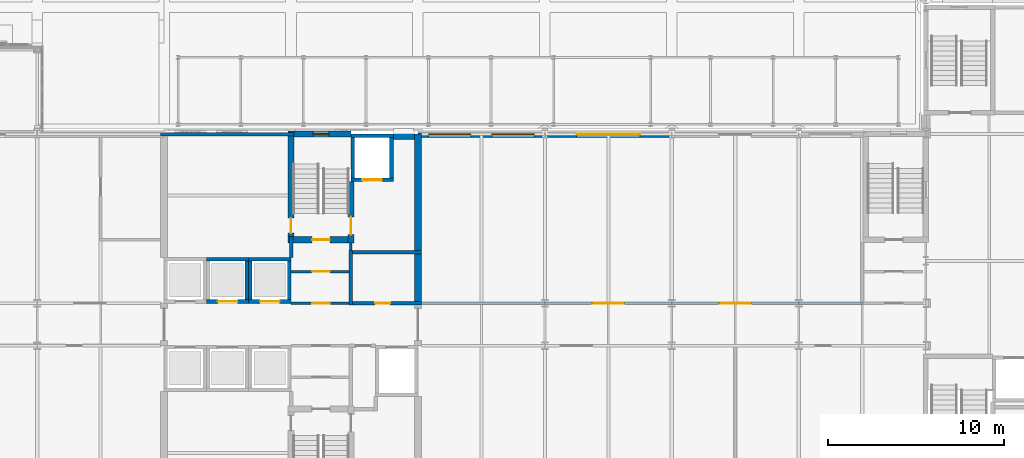
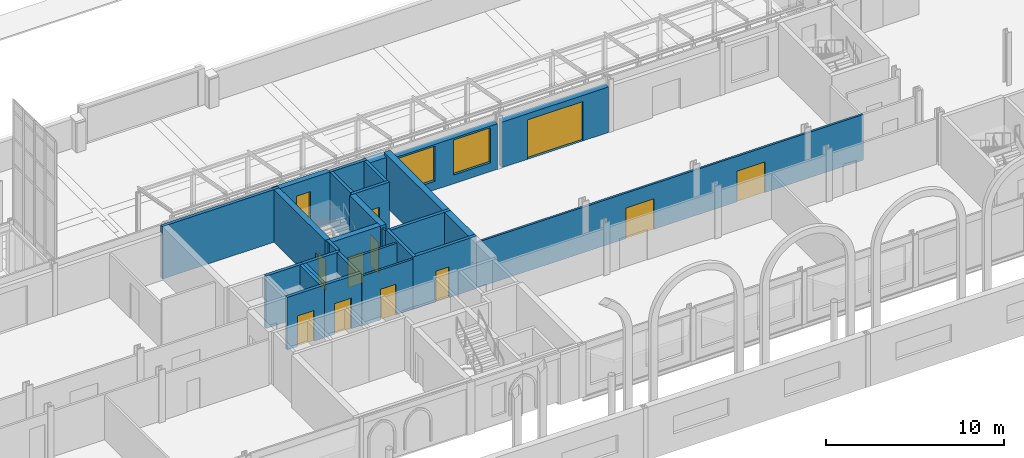
# One storey, part 80 of 143: 29 walls, 12 doors, 3 windows, 15 openings.
"""IFC4 building model written with IfcOpenShell, lengths in metres."""

from ifc_helpers import new_model, si_unit, direction, frame, frame_2d, origin, place, context, subcontext, project, spatial, rectangle, extrude, material, layer, layer_set, type_object, element, fill, save


model = new_model("IFC4")

# Units and contexts
model_context = context("Model", 3, precision=1e-05, world=origin(), true_north=direction((0.0, 1.0)))
body_context = subcontext(model_context, "Body", "Model", "MODEL_VIEW")
ifc_project = project(units=[si_unit("LENGTHUNIT", "METRE"), si_unit("AREAUNIT", "SQUARE_METRE"), si_unit("VOLUMEUNIT", "CUBIC_METRE"), si_unit("PLANEANGLEUNIT", "RADIAN"), si_unit("MASSUNIT", "GRAM", prefix="KILO")], contexts=[model_context])

# Site, building, storey
site_placement = place(None, origin())
site = spatial("IfcSite", under=ifc_project, at=site_placement, CompositionType="ELEMENT")
building_placement = place(site_placement, origin())
building = spatial("IfcBuilding", under=site, at=building_placement, Name="Kupolbacken Congress Centre", CompositionType="ELEMENT")
storey_placement = place(building_placement, frame((0.0, 0.0, 7.199951171875)))
storey = spatial("IfcBuildingStorey", under=building, at=storey_placement, Name="L02", CompositionType="ELEMENT", Elevation=7.199951171875)

# Wall, opening, door
ifc_material_1 = material(Name="Limestone", Category="masonry")
ifc_layer_1 = layer(ifc_material_1, 0.1201171875)
ifc_material_2 = material(Name="Air cavity", Category="air")
ifc_layer_2 = layer(ifc_material_2, 0.0400390625, ventilated=True)
ifc_material_3 = material(Name="Mineral wool", Category="insulation")
ifc_layer_3 = layer(ifc_material_3, 0.169921875)
ifc_material_4 = material(Name="Steel studs", Category="metal")
ifc_layer_4 = layer(ifc_material_4, 0.050048828125)
ifc_layer_set_1 = layer_set([ifc_layer_1, ifc_layer_2, ifc_layer_3, ifc_layer_4], Name="Limestone / Mineral wool / Steel studs")
wall_type_1 = type_object("IfcWallType", Name="EW03 external cavity wall 380", PredefinedType="SOLIDWALL", material=ifc_layer_set_1)
wall_1_placement = place(storey_placement, frame((122.24658203125, 144.0, 0.0), z_axis=(0.0, 0.0, 1.0), x_axis=(-1.0, 0.0, 0.0)))
wall_1 = element("IfcWall", 1, at=wall_1_placement, inside=storey, type_object=wall_type_1, Name="E/T/N/L02/016", PredefinedType="SOLIDWALL", context=body_context, shape_type="SweptSolid", body=[
    extrude(rectangle(XDim=6.89306640625, YDim=0.3798828125, at=frame_2d((3.446533203125, 0.0))), origin(), (0.0, 0.0, 1.0), 3.1201171875),
])
opening_1_placement = place(wall_1_placement, frame((1.646484375, 0.0, 0.0)))
opening_1 = element("IfcOpeningElement", 2, at=opening_1_placement, cuts=wall_1, Name="Opening D40", PredefinedType="OPENING", context=body_context, shape_type="SweptSolid", body=[
    extrude(rectangle(XDim=3.60009765625, YDim=2.699951171875, at=frame_2d((1.800048828125, 1.35009765625))), frame((0.0, 0.199951171875, 0.0), z_axis=(0.0, -1.0, 0.0), x_axis=(1.0, 0.0, 0.0)), (0.0, 0.0, 1.0), 0.39990234375),
])
ifc_material_5 = material(Name="Aluminium framed glazed door", Category="aluminium")
door_type_1 = type_object("IfcDoorType", Name="D40 entrance door pair 3600x2700", OperationType="DOUBLE_DOOR_SINGLE_SWING", PredefinedType="DOOR", material=ifc_material_5)
door_1_placement = place(opening_1_placement, frame((3.60009765625, 0.0, 0.0), z_axis=(0.0, 0.0, 1.0), x_axis=(-1.0, 0.0, 0.0)))
door_1 = element("IfcDoor", 3, at=door_1_placement, inside=storey, type_object=door_type_1, Name="E/T/N/L02/016/DHT3", OperationType="DOUBLE_DOOR_SINGLE_SWING", OverallHeight=2.699951171875, OverallWidth=3.60009765625, PredefinedType="DOOR", context=body_context, shape_type="SweptSolid", body=[
    extrude(rectangle(XDim=3.60009765625, YDim=2.699951171875, at=frame_2d((1.800048828125, 1.35009765625))), frame((0.0, 0.02490234375, 0.0), z_axis=(0.0, -1.0, 0.0), x_axis=(1.0, 0.0, 0.0)), (0.0, 0.0, 1.0), 0.050048828125),
])
fill(opening_1, door_1)

# Wall, openings, windows
wall_2_placement = place(storey_placement, frame((115.04638671875, 144.0, 0.0), z_axis=(0.0, 0.0, 1.0), x_axis=(-1.0, 0.0, 0.0)))
wall_2 = element("IfcWall", 4, at=wall_2_placement, inside=storey, type_object=wall_type_1, Name="E/T/N/L02/017", PredefinedType="SOLIDWALL", context=body_context, shape_type="SweptSolid", body=[
    extrude(rectangle(XDim=7.04638671875, YDim=0.3798828125, at=frame_2d((3.523193359375, 0.0))), origin(), (0.0, 0.0, 1.0), 3.1201171875),
])
opening_2_placement = place(wall_2_placement, frame((4.04638671875, 0.0, 0.60009765625)))
opening_2 = element("IfcOpeningElement", 5, at=opening_2_placement, cuts=wall_2, Name="Opening W30", PredefinedType="OPENING", context=body_context, shape_type="SweptSolid", body=[
    extrude(rectangle(XDim=2.39990234375, YDim=2.39990234375, at=frame_2d((1.199951171875, 1.199951171875))), frame((0.0, 0.199951171875, 0.0), z_axis=(0.0, -1.0, 0.0), x_axis=(1.0, 0.0, 0.0)), (0.0, 0.0, 1.0), 0.39990234375),
])
opening_3_placement = place(wall_2_placement, frame((0.446533203125, 0.0, 0.60009765625)))
opening_3 = element("IfcOpeningElement", 6, at=opening_3_placement, cuts=wall_2, Name="Opening W30", PredefinedType="OPENING", context=body_context, shape_type="SweptSolid", body=[
    extrude(rectangle(XDim=2.39990234375, YDim=2.39990234375, at=frame_2d((1.199951171875, 1.199951171875))), frame((0.0, 0.199951171875, 0.0), z_axis=(0.0, -1.0, 0.0), x_axis=(1.0, 0.0, 0.0)), (0.0, 0.0, 1.0), 0.39990234375),
])
ifc_material_6 = material(Name="Aluminium frame with double or triple glazing", Category="aluminium")
window_type_1 = type_object("IfcWindowType", Name="W30 window 2400x2400", PartitioningType="DOUBLE_PANEL_VERTICAL", PredefinedType="WINDOW", material=ifc_material_6)
window_1_placement = place(opening_2_placement, origin())
window_1 = element("IfcWindow", 7, at=window_1_placement, inside=storey, type_object=window_type_1, Name="E/T/N/L02/017/W1", OverallHeight=2.39990234375, OverallWidth=2.39990234375, PartitioningType="SINGLE_PANEL", PredefinedType="WINDOW", context=body_context, shape_type="SweptSolid", body=[
    extrude(rectangle(XDim=2.39990234375, YDim=2.39990234375, at=frame_2d((1.199951171875, 1.199951171875))), frame((0.0, 0.030029296875, 0.0), z_axis=(0.0, -1.0, 0.0), x_axis=(1.0, 0.0, 0.0)), (0.0, 0.0, 1.0), 0.06005859375),
])
fill(opening_2, window_1)
window_2_placement = place(opening_3_placement, origin())
window_2 = element("IfcWindow", 8, at=window_2_placement, inside=storey, type_object=window_type_1, Name="E/T/N/L02/017/W2", OverallHeight=2.39990234375, OverallWidth=2.39990234375, PartitioningType="SINGLE_PANEL", PredefinedType="WINDOW", context=body_context, shape_type="SweptSolid", body=[
    extrude(rectangle(XDim=2.39990234375, YDim=2.39990234375, at=frame_2d((1.199951171875, 1.199951171875))), frame((0.0, 0.030029296875, 0.0), z_axis=(0.0, -1.0, 0.0), x_axis=(1.0, 0.0, 0.0)), (0.0, 0.0, 1.0), 0.06005859375),
])
fill(opening_3, window_2)

# Wall
ifc_material_7 = material(Name="Concrete C40/50", Category="concrete")
ifc_layer_5 = layer(ifc_material_7, 0.35009765625)
ifc_layer_6 = layer(ifc_material_3, 0.1220703125)
ifc_layer_7 = layer(ifc_material_2, 0.0400390625, ventilated=True)
ifc_material_8 = material(Name="Brick", Category="masonry")
ifc_layer_8 = layer(ifc_material_8, 0.10791015625)
ifc_layer_set_2 = layer_set([ifc_layer_5, ifc_layer_6, ifc_layer_7, ifc_layer_8], Name="Concrete C40/50 / Mineral wool / Brick")
wall_type_2 = type_object("IfcWallType", Name="EW10 external cavity wall 620", PredefinedType="SOLIDWALL", material=ifc_layer_set_2)
wall_3_placement = place(storey_placement, frame((107.800048828125, 144.0, 0.0), z_axis=(0.0, 0.0, 1.0), x_axis=(-1.0, 0.0, 0.0)))
element("IfcWall", 9, at=wall_3_placement, inside=storey, type_object=wall_type_2, Name="E/T/N/L02/018", PredefinedType="SOLIDWALL", context=body_context, shape_type="SweptSolid", body=[
    extrude(rectangle(XDim=1.199951171875, YDim=0.6201171875, at=frame_2d((0.60009765625, 0.0))), origin(), (0.0, 0.0, 1.0), 3.420166015625),
])

# Wall, openings, doors
ifc_material_9 = material(Name="Gypsum board", Category="drywall")
ifc_layer_9 = layer(ifc_material_9, 0.135009765625)
ifc_layer_set_3 = layer_set([ifc_layer_9], Name="Gypsum board")
wall_type_3 = type_object("IfcWallType", Name="P06 compartment wall 135", PredefinedType="PARTITIONING", material=ifc_layer_set_3)
wall_4_placement = place(storey_placement, frame((108.199951171875, 134.39990234375, 0.0), z_axis=(0.0, 0.0, 1.0), x_axis=(1.0, 0.0, 0.0)))
wall_4 = element("IfcWall", 10, at=wall_4_placement, inside=storey, type_object=wall_type_3, Name="T/wall/L02/x/13440/10810", PredefinedType="PARTITIONING", context=body_context, shape_type="SweptSolid", body=[
    extrude(rectangle(XDim=25.070068359375, YDim=0.135009765625, at=frame_2d((12.53515625, 0.0))), origin(), (0.0, 0.0, 1.0), 3.1201171875),
])
opening_4_placement = place(wall_4_placement, frame((9.699951171875, 0.0, 0.0)))
opening_4 = element("IfcOpeningElement", 11, at=opening_4_placement, cuts=wall_4, Name="Opening D14", PredefinedType="OPENING", context=body_context, shape_type="SweptSolid", body=[
    extrude(rectangle(XDim=1.800048828125, YDim=2.10009765625, at=frame_2d((0.89990234375, 1.050048828125))), frame((0.0, 0.077392578125, 0.0), z_axis=(0.0, -1.0, 0.0), x_axis=(1.0, 0.0, 0.0)), (0.0, 0.0, 1.0), 0.155029296875),
])
opening_5_placement = place(wall_4_placement, frame((16.89990234375, 0.0, 0.0)))
opening_5 = element("IfcOpeningElement", 12, at=opening_5_placement, cuts=wall_4, Name="Opening D14", PredefinedType="OPENING", context=body_context, shape_type="SweptSolid", body=[
    extrude(rectangle(XDim=1.800048828125, YDim=2.10009765625, at=frame_2d((0.89990234375, 1.050048828125))), frame((0.0, 0.077392578125, 0.0), z_axis=(0.0, -1.0, 0.0), x_axis=(1.0, 0.0, 0.0)), (0.0, 0.0, 1.0), 0.155029296875),
])
ifc_material_10 = material(Name="Steel fire door leaf", Category="steel")
door_type_2 = type_object("IfcDoorType", Name="D14 fire door 1800x2100", OperationType="DOUBLE_DOOR_SINGLE_SWING", PredefinedType="DOOR", material=ifc_material_10)
door_2_placement = place(opening_4_placement, frame((1.800048828125, 0.0, 0.0), z_axis=(0.0, 0.0, 1.0), x_axis=(-1.0, 0.0, 0.0)))
door_2 = element("IfcDoor", 13, at=door_2_placement, inside=storey, type_object=door_type_2, Name="T/wall/L02/x/13440/10810/D-BAR-S1", OperationType="DOUBLE_DOOR_SINGLE_SWING", OverallHeight=2.10009765625, OverallWidth=1.800048828125, PredefinedType="DOOR", context=body_context, shape_type="SweptSolid", body=[
    extrude(rectangle(XDim=1.800048828125, YDim=2.10009765625, at=frame_2d((0.89990234375, 1.050048828125))), frame((0.0, 0.02490234375, 0.0), z_axis=(0.0, -1.0, 0.0), x_axis=(1.0, 0.0, 0.0)), (0.0, 0.0, 1.0), 0.050048828125),
])
fill(opening_4, door_2)
door_3_placement = place(opening_5_placement, frame((1.800048828125, 0.0, 0.0), z_axis=(0.0, 0.0, 1.0), x_axis=(-1.0, 0.0, 0.0)))
door_3 = element("IfcDoor", 14, at=door_3_placement, inside=storey, type_object=door_type_2, Name="T/wall/L02/x/13440/10810/D-BAR-S2", OperationType="DOUBLE_DOOR_SINGLE_SWING", OverallHeight=2.10009765625, OverallWidth=1.800048828125, PredefinedType="DOOR", context=body_context, shape_type="SweptSolid", body=[
    extrude(rectangle(XDim=1.800048828125, YDim=2.10009765625, at=frame_2d((0.89990234375, 1.050048828125))), frame((0.0, 0.02490234375, 0.0), z_axis=(0.0, -1.0, 0.0), x_axis=(1.0, 0.0, 0.0)), (0.0, 0.0, 1.0), 0.050048828125),
])
fill(opening_5, door_3)

# Wall, opening, door
ifc_material_11 = material(Name="Aerated concrete block", Category="masonry")
ifc_layer_10 = layer(ifc_material_11, 0.139892578125)
ifc_layer_set_4 = layer_set([ifc_layer_10], Name="Aerated concrete block")
wall_type_4 = type_object("IfcWallType", Name="P14 compartment wall 140", PredefinedType="PARTITIONING", material=ifc_layer_set_4)
wall_5_placement = place(storey_placement, frame((100.800048828125, 134.39990234375, 0.0), z_axis=(0.0, 0.0, 1.0), x_axis=(1.0, 0.0, 0.0)))
wall_5 = element("IfcWall", 15, at=wall_5_placement, inside=storey, type_object=wall_type_4, Name="T/wall/L02/x/13440/10080", PredefinedType="PARTITIONING", context=body_context, shape_type="SweptSolid", body=[
    extrude(rectangle(XDim=3.300048828125, YDim=0.139892578125, at=frame_2d((1.64990234375, 0.0))), origin(), (0.0, 0.0, 1.0), 3.420166015625),
])
opening_6_placement = place(wall_5_placement, frame((1.199951171875, 0.0, 0.0)))
opening_6 = element("IfcOpeningElement", 16, at=opening_6_placement, cuts=wall_5, Name="Opening D5", PredefinedType="OPENING", context=body_context, shape_type="SweptSolid", body=[
    extrude(rectangle(XDim=1.0, YDim=2.10009765625, at=frame_2d((0.5, 1.050048828125))), frame((0.0, 0.079833984375, 0.0), z_axis=(0.0, -1.0, 0.0), x_axis=(1.0, 0.0, 0.0)), (0.0, 0.0, 1.0), 0.159912109375),
])
ifc_material_12 = material(Name="Steel fire door leaf", Category="steel")
door_type_3 = type_object("IfcDoorType", Name="D5 stair door 1000x2100", OperationType="SINGLE_SWING_LEFT", PredefinedType="DOOR", material=ifc_material_12)
door_4_placement = place(opening_6_placement, frame((1.0, 0.0, 0.0), z_axis=(0.0, 0.0, 1.0), x_axis=(-1.0, 0.0, 0.0)))
door_4 = element("IfcDoor", 17, at=door_4_placement, inside=storey, type_object=door_type_3, Name="T/wall/L02/x/13440/10080/D-TS2-LK3", OperationType="SINGLE_SWING_RIGHT", OverallHeight=2.10009765625, OverallWidth=1.0, PredefinedType="DOOR", context=body_context, shape_type="SweptSolid", body=[
    extrude(rectangle(XDim=1.0, YDim=2.10009765625, at=frame_2d((0.5, 1.050048828125))), frame((0.0, 0.02490234375, 0.0), z_axis=(0.0, -1.0, 0.0), x_axis=(1.0, 0.0, 0.0)), (0.0, 0.0, 1.0), 0.050048828125),
])
fill(opening_6, door_4)

wall_6_placement = place(storey_placement, frame((100.800048828125, 136.199951171875, 0.0), z_axis=(0.0, 0.0, 1.0), x_axis=(1.0, 0.0, 0.0)))
wall_6 = element("IfcWall", 18, at=wall_6_placement, inside=storey, type_object=wall_type_4, Name="T/wall/L02/x/13620/10080", PredefinedType="PARTITIONING", context=body_context, shape_type="SweptSolid", body=[
    extrude(rectangle(XDim=3.300048828125, YDim=0.139892578125, at=frame_2d((1.64990234375, 0.0))), origin(), (0.0, 0.0, 1.0), 3.420166015625),
])
opening_7_placement = place(wall_6_placement, frame((1.199951171875, 0.0, 0.0)))
opening_7 = element("IfcOpeningElement", 19, at=opening_7_placement, cuts=wall_6, Name="Opening D5", PredefinedType="OPENING", context=body_context, shape_type="SweptSolid", body=[
    extrude(rectangle(XDim=1.0, YDim=2.10009765625, at=frame_2d((0.5, 1.050048828125))), frame((0.0, 0.079833984375, 0.0), z_axis=(0.0, -1.0, 0.0), x_axis=(1.0, 0.0, 0.0)), (0.0, 0.0, 1.0), 0.159912109375),
])
door_5_placement = place(opening_7_placement, frame((1.0, 0.0, 0.0), z_axis=(0.0, 0.0, 1.0), x_axis=(-1.0, 0.0, 0.0)))
door_5 = element("IfcDoor", 20, at=door_5_placement, inside=storey, type_object=door_type_3, Name="T/wall/L02/x/13620/10080/D-TS2-LK2", OperationType="SINGLE_SWING_RIGHT", OverallHeight=2.10009765625, OverallWidth=1.0, PredefinedType="DOOR", context=body_context, shape_type="SweptSolid", body=[
    extrude(rectangle(XDim=1.0, YDim=2.10009765625, at=frame_2d((0.5, 1.050048828125))), frame((0.0, 0.02490234375, 0.0), z_axis=(0.0, -1.0, 0.0), x_axis=(1.0, 0.0, 0.0)), (0.0, 0.0, 1.0), 0.050048828125),
])
fill(opening_7, door_5)

# Wall
wall_7_placement = place(storey_placement, frame((104.199951171875, 137.39990234375, 0.0), z_axis=(0.0, 0.0, 1.0), x_axis=(0.0, 1.0, 0.0)))
element("IfcWall", 21, at=wall_7_placement, inside=storey, type_object=wall_type_4, Name="T/wall/L02/y/10420/13740", PredefinedType="PARTITIONING", context=body_context, shape_type="SweptSolid", body=[
    extrude(rectangle(XDim=0.425048828125, YDim=0.139892578125, at=frame_2d((0.21240234375, 0.0))), origin(), (0.0, 0.0, 1.0), 3.420166015625),
])

# Wall, opening, door
ifc_material_13 = material(Name="Concrete C40/50", Category="concrete")
ifc_layer_11 = layer(ifc_material_13, 0.199951171875)
ifc_layer_set_5 = layer_set([ifc_layer_11], Name="Concrete C40/50")
wall_type_5 = type_object("IfcWallType", Name="WC1 RC shaft wall 200", PredefinedType="SHEAR", material=ifc_layer_set_5)
wall_8_placement = place(storey_placement, frame((104.10009765625, 134.39990234375, 0.0), z_axis=(0.0, 0.0, 1.0), x_axis=(1.0, 0.0, 0.0)))
wall_8 = element("IfcWall", 22, at=wall_8_placement, inside=storey, type_object=wall_type_5, Name="Shaft wall L02-112", PredefinedType="SHEAR", context=body_context, shape_type="SweptSolid", body=[
    extrude(rectangle(XDim=4.099853515625, YDim=0.199951171875, at=frame_2d((2.0498046875, 0.0))), origin(), (0.0, 0.0, 1.0), 3.60009765625),
])
opening_8_placement = place(wall_8_placement, frame((1.47509765625, 0.0, 0.0)))
opening_8 = element("IfcOpeningElement", 23, at=opening_8_placement, cuts=wall_8, Name="Opening D3", PredefinedType="OPENING", context=body_context, shape_type="SweptSolid", body=[
    extrude(rectangle(XDim=0.85009765625, YDim=2.10009765625, at=frame_2d((0.425048828125, 1.050048828125))), frame((0.0, 0.10986328125, 0.0), z_axis=(0.0, -1.0, 0.0), x_axis=(1.0, 0.0, 0.0)), (0.0, 0.0, 1.0), 0.219970703125),
])
ifc_material_14 = material(Name="Steel fire door leaf", Category="steel")
door_type_4 = type_object("IfcDoorType", Name="D3 fire door 850x2100", OperationType="SINGLE_SWING_LEFT", PredefinedType="DOOR", material=ifc_material_14)
door_6_placement = place(opening_8_placement, origin())
door_6 = element("IfcDoor", 24, at=door_6_placement, inside=storey, type_object=door_type_4, Name="S/core/L02/112/D-TR4-A", OperationType="SINGLE_SWING_RIGHT", OverallHeight=2.10009765625, OverallWidth=0.85009765625, PredefinedType="DOOR", context=body_context, shape_type="SweptSolid", body=[
    extrude(rectangle(XDim=0.85009765625, YDim=2.10009765625, at=frame_2d((0.425048828125, 1.050048828125))), frame((0.0, 0.02490234375, 0.0), z_axis=(0.0, -1.0, 0.0), x_axis=(1.0, 0.0, 0.0)), (0.0, 0.0, 1.0), 0.050048828125),
])
fill(opening_8, door_6)

# Walls
wall_9_placement = place(storey_placement, frame((100.800048828125, 137.0, 0.0), z_axis=(0.0, 0.0, 1.0), x_axis=(0.0, 1.0, 0.0)))
element("IfcWall", 25, at=wall_9_placement, inside=storey, type_object=wall_type_5, Name="Shaft wall L02-114", PredefinedType="SHEAR", context=body_context, shape_type="SweptSolid", body=[
    extrude(rectangle(XDim=1.175048828125, YDim=0.199951171875, at=frame_2d((0.58740234375, 0.0))), origin(), (0.0, 0.0, 1.0), 3.60009765625),
])
wall_10_placement = place(storey_placement, frame((104.199951171875, 137.39990234375, 0.0), z_axis=(0.0, 0.0, 1.0), x_axis=(0.0, -1.0, 0.0)))
element("IfcWall", 26, at=wall_10_placement, inside=storey, type_object=wall_type_5, Name="Shaft wall L02-115", PredefinedType="SHEAR", context=body_context, shape_type="SweptSolid", body=[
    extrude(rectangle(XDim=3.099853515625, YDim=0.199951171875, at=frame_2d((1.5498046875, 0.0))), origin(), (0.0, 0.0, 1.0), 3.60009765625),
])
wall_11_placement = place(storey_placement, frame((108.199951171875, 137.300048828125, 0.0), z_axis=(0.0, 0.0, 1.0), x_axis=(-1.0, 0.0, 0.0)))
element("IfcWall", 27, at=wall_11_placement, inside=storey, type_object=wall_type_5, Name="Shaft wall L02-116", PredefinedType="SHEAR", context=body_context, shape_type="SweptSolid", body=[
    extrude(rectangle(XDim=4.099853515625, YDim=0.199951171875, at=frame_2d((2.0498046875, 0.0))), origin(), (0.0, 0.0, 1.0), 3.60009765625),
])
wall_12_placement = place(storey_placement, frame((100.97509765625, 144.0, 0.0), z_axis=(0.0, 0.0, 1.0), x_axis=(-1.0, 0.0, 0.0)))
element("IfcWall", 28, at=wall_12_placement, inside=storey, type_object=wall_type_5, Name="Shaft wall L02-128", PredefinedType="SHEAR", context=body_context, shape_type="SweptSolid", body=[
    extrude(rectangle(XDim=7.5751953125, YDim=0.199951171875, at=frame_2d((3.78759765625, 0.0))), origin(), (0.0, 0.0, 1.0), 3.60009765625),
])

# Wall, opening, door
wall_13_placement = place(storey_placement, frame((96.0, 134.5, 0.0), z_axis=(0.0, 0.0, 1.0), x_axis=(1.0, 0.0, 0.0)))
wall_13 = element("IfcWall", 29, at=wall_13_placement, inside=storey, type_object=wall_type_5, Name="Shaft wall LP13", PredefinedType="SHEAR", context=body_context, shape_type="SweptSolid", body=[
    extrude(rectangle(XDim=2.39990234375, YDim=0.199951171875, at=frame_2d((1.199951171875, 0.0))), origin(), (0.0, 0.0, 1.0), 3.60009765625),
])
opening_9_placement = place(wall_13_placement, frame((0.64990234375, 0.0, 0.0)))
opening_9 = element("IfcOpeningElement", 30, at=opening_9_placement, cuts=wall_13, Name="Opening LD2", PredefinedType="OPENING", context=body_context, shape_type="SweptSolid", body=[
    extrude(rectangle(XDim=1.10009765625, YDim=2.10009765625, at=frame_2d((0.550048828125, 1.050048828125))), frame((0.0, 0.10986328125, 0.0), z_axis=(0.0, -1.0, 0.0), x_axis=(1.0, 0.0, 0.0)), (0.0, 0.0, 1.0), 0.219970703125),
])
ifc_material_15 = material(Name="Stainless steel door leaf", Category="steel")
door_type_5 = type_object("IfcDoorType", Name="LD2 lift landing door 1100x2100", OperationType="SLIDING_TO_LEFT", PredefinedType="DOOR", material=ifc_material_15)
door_7_placement = place(opening_9_placement, origin())
door_7 = element("IfcDoor", 31, at=door_7_placement, inside=storey, type_object=door_type_5, Name="Lift landing door LP13", OperationType="SLIDING_TO_LEFT", OverallHeight=2.10009765625, OverallWidth=1.10009765625, PredefinedType="DOOR", context=body_context, shape_type="SweptSolid", body=[
    extrude(rectangle(XDim=1.10009765625, YDim=2.10009765625, at=frame_2d((0.550048828125, 1.050048828125))), frame((0.0, 0.02490234375, 0.0), z_axis=(0.0, -1.0, 0.0), x_axis=(1.0, 0.0, 0.0)), (0.0, 0.0, 1.0), 0.050048828125),
])
fill(opening_9, door_7)

# Walls
wall_14_placement = place(storey_placement, frame((96.0, 136.89990234375, 0.0), z_axis=(0.0, 0.0, 1.0), x_axis=(1.0, 0.0, 0.0)))
element("IfcWall", 32, at=wall_14_placement, inside=storey, type_object=wall_type_5, Name="Shaft wall LP13", PredefinedType="SHEAR", context=body_context, shape_type="SweptSolid", body=[
    extrude(rectangle(XDim=2.39990234375, YDim=0.199951171875, at=frame_2d((1.199951171875, 0.0))), origin(), (0.0, 0.0, 1.0), 3.60009765625),
])
wall_15_placement = place(storey_placement, frame((98.300048828125, 134.60009765625, 0.0), z_axis=(0.0, 0.0, 1.0), x_axis=(0.0, 1.0, 0.0)))
element("IfcWall", 33, at=wall_15_placement, inside=storey, type_object=wall_type_5, Name="Shaft wall LP13", PredefinedType="SHEAR", context=body_context, shape_type="SweptSolid", body=[
    extrude(rectangle(XDim=2.199951171875, YDim=0.199951171875, at=frame_2d((1.10009765625, 0.0))), origin(), (0.0, 0.0, 1.0), 3.60009765625),
])

# Wall, opening, door
wall_16_placement = place(storey_placement, frame((98.39990234375, 134.5, 0.0), z_axis=(0.0, 0.0, 1.0), x_axis=(1.0, 0.0, 0.0)))
wall_16 = element("IfcWall", 34, at=wall_16_placement, inside=storey, type_object=wall_type_5, Name="Shaft wall LP14", PredefinedType="SHEAR", context=body_context, shape_type="SweptSolid", body=[
    extrude(rectangle(XDim=2.400146484375, YDim=0.199951171875, at=frame_2d((1.2001953125, 0.0))), origin(), (0.0, 0.0, 1.0), 3.60009765625),
])
opening_10_placement = place(wall_16_placement, frame((0.64990234375, 0.0, 0.0)))
opening_10 = element("IfcOpeningElement", 35, at=opening_10_placement, cuts=wall_16, Name="Opening LD2", PredefinedType="OPENING", context=body_context, shape_type="SweptSolid", body=[
    extrude(rectangle(XDim=1.10009765625, YDim=2.10009765625, at=frame_2d((0.550048828125, 1.050048828125))), frame((0.0, 0.10986328125, 0.0), z_axis=(0.0, -1.0, 0.0), x_axis=(1.0, 0.0, 0.0)), (0.0, 0.0, 1.0), 0.219970703125),
])
door_8_placement = place(opening_10_placement, origin())
door_8 = element("IfcDoor", 36, at=door_8_placement, inside=storey, type_object=door_type_5, Name="Lift landing door LP14", OperationType="SLIDING_TO_LEFT", OverallHeight=2.10009765625, OverallWidth=1.10009765625, PredefinedType="DOOR", context=body_context, shape_type="SweptSolid", body=[
    extrude(rectangle(XDim=1.10009765625, YDim=2.10009765625, at=frame_2d((0.550048828125, 1.050048828125))), frame((0.0, 0.02490234375, 0.0), z_axis=(0.0, -1.0, 0.0), x_axis=(1.0, 0.0, 0.0)), (0.0, 0.0, 1.0), 0.050048828125),
])
fill(opening_10, door_8)

# Walls
wall_17_placement = place(storey_placement, frame((98.39990234375, 136.89990234375, 0.0), z_axis=(0.0, 0.0, 1.0), x_axis=(1.0, 0.0, 0.0)))
element("IfcWall", 37, at=wall_17_placement, inside=storey, type_object=wall_type_5, Name="Shaft wall LP14", PredefinedType="SHEAR", context=body_context, shape_type="SweptSolid", body=[
    extrude(rectangle(XDim=2.400146484375, YDim=0.199951171875, at=frame_2d((1.2001953125, 0.0))), origin(), (0.0, 0.0, 1.0), 3.60009765625),
])
for number, where, z_axis, x_axis, name in (
    (38, (98.5, 134.60009765625, 0.0), (0.0, 0.0, 1.0), (0.0, 1.0, 0.0), "Shaft wall LP14"),
    (39, (100.699951171875, 134.60009765625, 0.0), (0.0, 0.0, 1.0), (0.0, 1.0, 0.0), "Shaft wall LP14"),
):
    element("IfcWall", number, at=place(storey_placement, frame(where, z_axis=z_axis, x_axis=x_axis)), inside=storey, type_object=wall_type_5, Name=name, PredefinedType="SHEAR", context=body_context, shape_type="SweptSolid", body=[
        extrude(rectangle(XDim=2.199951171875, YDim=0.199951171875, at=frame_2d((1.10009765625, 0.0))), origin(), (0.0, 0.0, 1.0), 3.60009765625),
    ])

# Wall, opening, door
wall_18_placement = place(storey_placement, frame((104.199951171875, 141.39990234375, 0.0), z_axis=(0.0, 0.0, 1.0), x_axis=(1.0, 0.0, 0.0)))
wall_18 = element("IfcWall", 40, at=wall_18_placement, inside=storey, type_object=wall_type_5, Name="Shaft wall LF2", PredefinedType="SHEAR", context=body_context, shape_type="SweptSolid", body=[
    extrude(rectangle(XDim=2.400146484375, YDim=0.199951171875, at=frame_2d((1.2001953125, 0.0))), origin(), (0.0, 0.0, 1.0), 3.60009765625),
])
opening_11_placement = place(wall_18_placement, frame((0.64990234375, 0.0, 0.0)))
opening_11 = element("IfcOpeningElement", 41, at=opening_11_placement, cuts=wall_18, Name="Opening LD2", PredefinedType="OPENING", context=body_context, shape_type="SweptSolid", body=[
    extrude(rectangle(XDim=1.10009765625, YDim=2.10009765625, at=frame_2d((0.550048828125, 1.050048828125))), frame((0.0, 0.10986328125, 0.0), z_axis=(0.0, -1.0, 0.0), x_axis=(1.0, 0.0, 0.0)), (0.0, 0.0, 1.0), 0.219970703125),
])
door_9_placement = place(opening_11_placement, origin())
door_9 = element("IfcDoor", 42, at=door_9_placement, inside=storey, type_object=door_type_5, Name="Lift landing door LF2", OperationType="SLIDING_TO_LEFT", OverallHeight=2.10009765625, OverallWidth=1.10009765625, PredefinedType="DOOR", context=body_context, shape_type="SweptSolid", body=[
    extrude(rectangle(XDim=1.10009765625, YDim=2.10009765625, at=frame_2d((0.550048828125, 1.050048828125))), frame((0.0, 0.02490234375, 0.0), z_axis=(0.0, -1.0, 0.0), x_axis=(1.0, 0.0, 0.0)), (0.0, 0.0, 1.0), 0.050048828125),
])
fill(opening_11, door_9)

# Walls
wall_19_placement = place(storey_placement, frame((104.199951171875, 143.89990234375, 0.0), z_axis=(0.0, 0.0, 1.0), x_axis=(1.0, 0.0, 0.0)))
element("IfcWall", 43, at=wall_19_placement, inside=storey, type_object=wall_type_5, Name="Shaft wall LF2", PredefinedType="SHEAR", context=body_context, shape_type="SweptSolid", body=[
    extrude(rectangle(XDim=2.400146484375, YDim=0.199951171875, at=frame_2d((1.2001953125, 0.0))), origin(), (0.0, 0.0, 1.0), 3.60009765625),
])
for number, where, z_axis, x_axis, name in (
    (44, (104.300048828125, 141.5, 0.0), (0.0, 0.0, 1.0), (0.0, 1.0, 0.0), "Shaft wall LF2"),
    (45, (106.5, 141.5, 0.0), (0.0, 0.0, 1.0), (0.0, 1.0, 0.0), "Shaft wall LF2"),
):
    element("IfcWall", number, at=place(storey_placement, frame(where, z_axis=z_axis, x_axis=x_axis)), inside=storey, type_object=wall_type_5, Name=name, PredefinedType="SHEAR", context=body_context, shape_type="SweptSolid", body=[
        extrude(rectangle(XDim=2.300048828125, YDim=0.199951171875, at=frame_2d((1.14990234375, 0.0))), origin(), (0.0, 0.0, 1.0), 3.60009765625),
    ])

# Wall, opening, door
ifc_material_16 = material(Name="Concrete C40/50", Category="concrete")
ifc_layer_12 = layer(ifc_material_16, 0.35009765625)
ifc_layer_set_6 = layer_set([ifc_layer_12], Name="Concrete C40/50")
wall_type_6 = type_object("IfcWallType", Name="WC4 RC core wall 350", PredefinedType="SHEAR", material=ifc_layer_set_6)
wall_20_placement = place(storey_placement, frame((100.625, 138.0, 0.0), z_axis=(0.0, 0.0, 1.0), x_axis=(1.0, 0.0, 0.0)))
wall_20 = element("IfcWall", 46, at=wall_20_placement, inside=storey, type_object=wall_type_6, Name="Core wall L02-120", PredefinedType="SHEAR", context=body_context, shape_type="SweptSolid", body=[
    extrude(rectangle(XDim=3.75, YDim=0.35009765625, at=frame_2d((1.875, 0.0))), origin(), (0.0, 0.0, 1.0), 3.60009765625),
])
opening_12_placement = place(wall_20_placement, frame((1.375, 0.0, 0.0)))
opening_12 = element("IfcOpeningElement", 47, at=opening_12_placement, cuts=wall_20, Name="Opening D5", PredefinedType="OPENING", context=body_context, shape_type="SweptSolid", body=[
    extrude(rectangle(XDim=1.0, YDim=2.10009765625, at=frame_2d((0.5, 1.050048828125))), frame((0.0, 0.18505859375, 0.0), z_axis=(0.0, -1.0, 0.0), x_axis=(1.0, 0.0, 0.0)), (0.0, 0.0, 1.0), 0.3701171875),
])
door_10_placement = place(opening_12_placement, origin())
door_10 = element("IfcDoor", 48, at=door_10_placement, inside=storey, type_object=door_type_3, Name="S/core/L02/120/D-TS2-LK1", OperationType="SINGLE_SWING_RIGHT", OverallHeight=2.10009765625, OverallWidth=1.0, PredefinedType="DOOR", context=body_context, shape_type="SweptSolid", body=[
    extrude(rectangle(XDim=1.0, YDim=2.10009765625, at=frame_2d((0.5, 1.050048828125))), frame((0.0, 0.02490234375, 0.0), z_axis=(0.0, -1.0, 0.0), x_axis=(1.0, 0.0, 0.0)), (0.0, 0.0, 1.0), 0.050048828125),
])
fill(opening_12, door_10)

wall_21_placement = place(storey_placement, frame((104.199951171875, 137.824951171875, 0.0), z_axis=(0.0, 0.0, 1.0), x_axis=(0.0, 1.0, 0.0)))
wall_21 = element("IfcWall", 49, at=wall_21_placement, inside=storey, type_object=wall_type_6, Name="Core wall L02-121", PredefinedType="SHEAR", context=body_context, shape_type="SweptSolid", body=[
    extrude(rectangle(XDim=3.47509765625, YDim=0.35009765625, at=frame_2d((1.737548828125, 0.0))), origin(), (0.0, 0.0, 1.0), 3.60009765625),
])
opening_13_placement = place(wall_21_placement, frame((0.47509765625, 0.0, 0.0)))
opening_13 = element("IfcOpeningElement", 50, at=opening_13_placement, cuts=wall_21, Name="Opening D5", PredefinedType="OPENING", context=body_context, shape_type="SweptSolid", body=[
    extrude(rectangle(XDim=1.0, YDim=2.10009765625, at=frame_2d((0.5, 1.050048828125))), frame((0.0, 0.18505859375, 0.0), z_axis=(0.0, -1.0, 0.0), x_axis=(1.0, 0.0, 0.0)), (0.0, 0.0, 1.0), 0.3701171875),
])
door_11_placement = place(opening_13_placement, origin())
door_11 = element("IfcDoor", 51, at=door_11_placement, inside=storey, type_object=door_type_3, Name="S/core/L02/121/D-TFL2-A", OperationType="SINGLE_SWING_RIGHT", OverallHeight=2.10009765625, OverallWidth=1.0, PredefinedType="DOOR", context=body_context, shape_type="SweptSolid", body=[
    extrude(rectangle(XDim=1.0, YDim=2.10009765625, at=frame_2d((0.5, 1.050048828125))), frame((0.0, 0.02490234375, 0.0), z_axis=(0.0, -1.0, 0.0), x_axis=(1.0, 0.0, 0.0)), (0.0, 0.0, 1.0), 0.050048828125),
])
fill(opening_13, door_11)

wall_22_placement = place(storey_placement, frame((100.800048828125, 144.175048828125, 0.0), z_axis=(0.0, 0.0, 1.0), x_axis=(0.0, -1.0, 0.0)))
wall_22 = element("IfcWall", 52, at=wall_22_placement, inside=storey, type_object=wall_type_6, Name="Core wall L02-127", PredefinedType="SHEAR", context=body_context, shape_type="SweptSolid", body=[
    extrude(rectangle(XDim=6.0, YDim=0.35009765625, at=frame_2d((3.0, 0.0))), origin(), (0.0, 0.0, 1.0), 3.60009765625),
])
opening_14_placement = place(wall_22_placement, frame((4.949951171875, 0.0, 0.0)))
opening_14 = element("IfcOpeningElement", 53, at=opening_14_placement, cuts=wall_22, Name="Opening D3", PredefinedType="OPENING", context=body_context, shape_type="SweptSolid", body=[
    extrude(rectangle(XDim=0.85009765625, YDim=2.10009765625, at=frame_2d((0.425048828125, 1.050048828125))), frame((0.0, 0.18505859375, 0.0), z_axis=(0.0, -1.0, 0.0), x_axis=(1.0, 0.0, 0.0)), (0.0, 0.0, 1.0), 0.3701171875),
])
door_12_placement = place(opening_14_placement, origin())
door_12 = element("IfcDoor", 54, at=door_12_placement, inside=storey, type_object=door_type_4, Name="S/core/L02/127/D-TR2-A", OperationType="SINGLE_SWING_LEFT", OverallHeight=2.10009765625, OverallWidth=0.85009765625, PredefinedType="DOOR", context=body_context, shape_type="SweptSolid", body=[
    extrude(rectangle(XDim=0.85009765625, YDim=2.10009765625, at=frame_2d((0.425048828125, 1.050048828125))), frame((0.0, 0.02490234375, 0.0), z_axis=(0.0, -1.0, 0.0), x_axis=(1.0, 0.0, 0.0)), (0.0, 0.0, 1.0), 0.050048828125),
])
fill(opening_14, door_12)

# Wall, opening, window
wall_23_placement = place(storey_placement, frame((104.199951171875, 144.0, 0.0), z_axis=(0.0, 0.0, 1.0), x_axis=(-1.0, 0.0, 0.0)))
wall_23 = element("IfcWall", 55, at=wall_23_placement, inside=storey, type_object=wall_type_6, Name="Core wall L02-129", PredefinedType="SHEAR", context=body_context, shape_type="SweptSolid", body=[
    extrude(rectangle(XDim=3.224853515625, YDim=0.35009765625, at=frame_2d((1.6123046875, 0.0))), origin(), (0.0, 0.0, 1.0), 3.60009765625),
])
opening_15_placement = place(wall_23_placement, frame((1.25, 0.0, 0.60009765625)))
opening_15 = element("IfcOpeningElement", 56, at=opening_15_placement, cuts=wall_23, Name="Opening W28", PredefinedType="OPENING", context=body_context, shape_type="SweptSolid", body=[
    extrude(rectangle(XDim=0.89990234375, YDim=2.10009765625, at=frame_2d((0.449951171875, 1.050048828125))), frame((0.0, 0.18505859375, 0.0), z_axis=(0.0, -1.0, 0.0), x_axis=(1.0, 0.0, 0.0)), (0.0, 0.0, 1.0), 0.3701171875),
])
ifc_material_17 = material(Name="Aluminium frame with double or triple glazing", Category="aluminium")
window_type_2 = type_object("IfcWindowType", Name="W28 window 900x2100", PartitioningType="SINGLE_PANEL", PredefinedType="WINDOW", material=ifc_material_17)
window_3_placement = place(opening_15_placement, origin())
window_3 = element("IfcWindow", 57, at=window_3_placement, inside=storey, type_object=window_type_2, Name="S/core/L02/129/WW28", OverallHeight=2.10009765625, OverallWidth=0.89990234375, PartitioningType="SINGLE_PANEL", PredefinedType="WINDOW", context=body_context, shape_type="SweptSolid", body=[
    extrude(rectangle(XDim=0.89990234375, YDim=2.10009765625, at=frame_2d((0.449951171875, 1.050048828125))), frame((0.0, 0.030029296875, 0.0), z_axis=(0.0, -1.0, 0.0), x_axis=(1.0, 0.0, 0.0)), (0.0, 0.0, 1.0), 0.06005859375),
])
fill(opening_15, window_3)

# Walls
ifc_material_18 = material(Name="Concrete C40/50", Category="concrete")
ifc_layer_13 = layer(ifc_material_18, 0.39990234375)
ifc_layer_set_7 = layer_set([ifc_layer_13], Name="Concrete C40/50")
wall_type_7 = type_object("IfcWallType", Name="WC5 RC core wall 400", PredefinedType="SHEAR", material=ifc_layer_set_7)
wall_24_placement = place(storey_placement, frame((108.0, 134.5, 0.0), z_axis=(0.0, 0.0, 1.0), x_axis=(0.0, 1.0, 0.0)))
element("IfcWall", 58, at=wall_24_placement, inside=storey, type_object=wall_type_7, Name="Core wall L02-113", PredefinedType="SHEAR", context=body_context, shape_type="SweptSolid", body=[
    extrude(rectangle(XDim=2.89990234375, YDim=0.39990234375, at=frame_2d((1.449951171875, 0.0))), origin(), (0.0, 0.0, 1.0), 3.60009765625),
])
wall_25_placement = place(storey_placement, frame((108.0, 137.39990234375, 0.0), z_axis=(0.0, 0.0, 1.0), x_axis=(0.0, 1.0, 0.0)))
element("IfcWall", 59, at=wall_25_placement, inside=storey, type_object=wall_type_7, Name="Core wall L02-117", PredefinedType="SHEAR", context=body_context, shape_type="SweptSolid", body=[
    extrude(rectangle(XDim=6.60009765625, YDim=0.39990234375, at=frame_2d((3.300048828125, 0.0))), origin(), (0.0, 0.0, 1.0), 3.60009765625),
])

save(model, "model.ifc")
